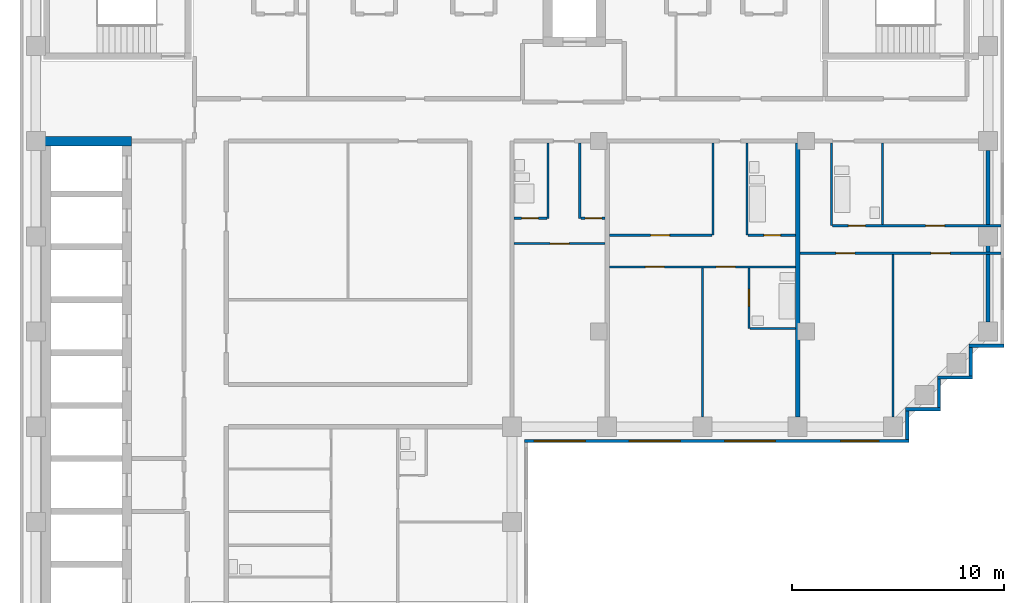
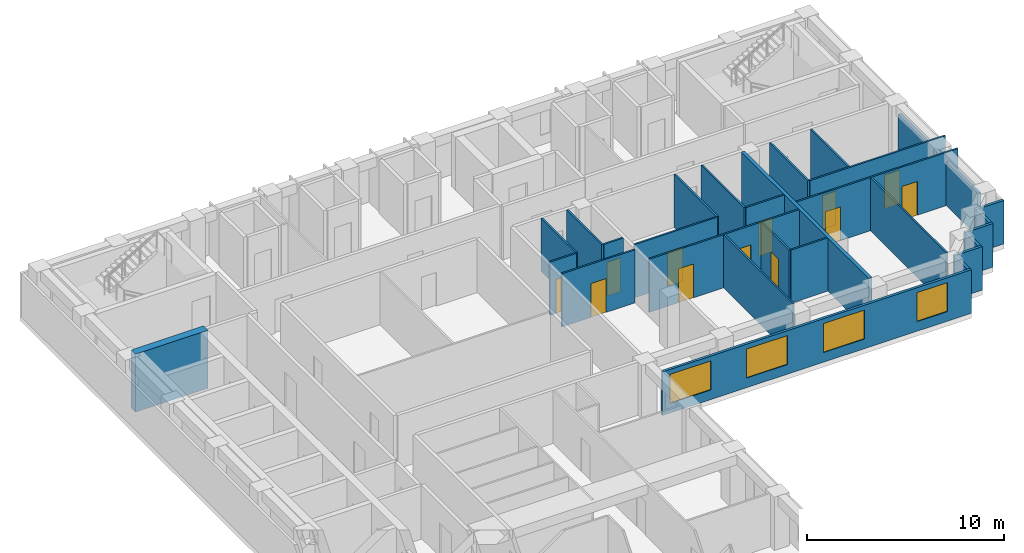
# One storey, part 4 of 8: 28 walls, 12 doors, 4 windows, 16 openings.
"""IFC4 building model written with IfcOpenShell, lengths in metres."""

from ifc_helpers import new_model, si_unit, direction, frame, frame_2d, origin, place, context, subcontext, project, spatial, rectangle, extrude, material, layer, layer_set, type_object, element, fill, save


model = new_model("IFC4")

# Units and contexts
model_context = context("Model", 3, precision=1e-05, world=origin(), true_north=direction((0.0, 1.0)))
body_context = subcontext(model_context, "Body", "Model", "MODEL_VIEW")
ifc_project = project(units=[si_unit("LENGTHUNIT", "METRE"), si_unit("AREAUNIT", "SQUARE_METRE"), si_unit("VOLUMEUNIT", "CUBIC_METRE"), si_unit("PLANEANGLEUNIT", "RADIAN"), si_unit("MASSUNIT", "GRAM", prefix="KILO")], contexts=[model_context])

# Site, building, storey
site_placement = place(None, origin())
site = spatial("IfcSite", under=ifc_project, at=site_placement, CompositionType="ELEMENT")
building_placement = place(site_placement, origin())
building = spatial("IfcBuilding", under=site, at=building_placement, Name="Firuza Court", CompositionType="ELEMENT")
storey_placement = place(building_placement, frame((0.0, 0.0, 251.0)))
storey = spatial("IfcBuildingStorey", under=building, at=storey_placement, Name="L65", CompositionType="ELEMENT", Elevation=251.0)

# Wall, opening, door
ifc_material_1 = material(Name="Moisture-resistant gypsum board partition")
ifc_layer_1 = layer(ifc_material_1, 0.10009765625)
ifc_layer_set_1 = layer_set([ifc_layer_1], Name="Moisture-resistant gypsum board partition")
wall_type_1 = type_object("IfcWallType", Name="Bathroom partition 100", PredefinedType="PLUMBINGWALL", material=ifc_layer_set_1)
wall_1_placement = place(storey_placement, frame((33.699951171875, 40.64990234375, 0.0), z_axis=(0.0, 0.0, 1.0), x_axis=(0.0, 1.0, 0.0)))
wall_1 = element("IfcWall", 1, at=wall_1_placement, inside=storey, type_object=wall_type_1, Name="Bathroom partition 100 L65", PredefinedType="PLUMBINGWALL", context=body_context, shape_type="SweptSolid", body=[
    extrude(rectangle(XDim=2.85009765625, YDim=0.10009765625, at=frame_2d((1.425048828125, 0.0))), origin(), (0.0, 0.0, 1.0), 3.300048828125),
])
opening_1_placement = place(wall_1_placement, frame((1.050048828125, 0.0, 0.0)))
opening_1 = element("IfcOpeningElement", 2, at=opening_1_placement, cuts=wall_1, Name="Opening D65027", PredefinedType="OPENING", context=body_context, shape_type="SweptSolid", body=[
    extrude(rectangle(XDim=0.800048828125, YDim=2.10009765625, at=frame_2d((0.39990234375, 1.050048828125))), frame((0.0, 0.06201171875, 0.0), z_axis=(0.0, -1.0, 0.0), x_axis=(1.0, 0.0, 0.0)), (0.0, 0.0, 1.0), 0.1240234375),
])
ifc_material_2 = material(Name="Timber door leaf in hardwood frame", Category="wood")
door_type_1 = type_object("IfcDoorType", Name="Bathroom door 800", OperationType="SINGLE_SWING_LEFT", PredefinedType="DOOR", material=ifc_material_2)
door_1_placement = place(opening_1_placement, frame((0.800048828125, 0.0, 0.0), z_axis=(0.0, 0.0, 1.0), x_axis=(-1.0, 0.0, 0.0)))
door_1 = element("IfcDoor", 3, at=door_1_placement, inside=storey, type_object=door_type_1, Name="En-suite door", OperationType="SINGLE_SWING_RIGHT", OverallHeight=2.10009765625, OverallWidth=0.800048828125, PredefinedType="DOOR", context=body_context, shape_type="SweptSolid", body=[
    extrude(rectangle(XDim=0.800048828125, YDim=2.10009765625, at=frame_2d((0.39990234375, 1.050048828125))), frame((0.0, 0.02490234375, 0.0), z_axis=(0.0, -1.0, 0.0), x_axis=(1.0, 0.0, 0.0)), (0.0, 0.0, 1.0), 0.050048828125),
])
fill(opening_1, door_1)

# Walls
wall_2_placement = place(storey_placement, frame((33.75, 40.64990234375, 0.0), z_axis=(0.0, 0.0, 1.0), x_axis=(1.0, 0.0, 0.0)))
element("IfcWall", 4, at=wall_2_placement, inside=storey, type_object=wall_type_1, Name="Bathroom partition 100 L65", PredefinedType="PLUMBINGWALL", context=body_context, shape_type="SweptSolid", body=[
    extrude(rectangle(XDim=2.14990234375, YDim=0.10009765625, at=frame_2d((1.074951171875, 0.0))), origin(), (0.0, 0.0, 1.0), 3.300048828125),
])
wall_3_placement = place(storey_placement, frame((33.60009765625, 45.050048828125, 0.0), z_axis=(0.0, 0.0, 1.0), x_axis=(0.0, 1.0, 0.0)))
element("IfcWall", 5, at=wall_3_placement, inside=storey, type_object=wall_type_1, Name="Bathroom partition 100 L65", PredefinedType="PLUMBINGWALL", context=body_context, shape_type="SweptSolid", body=[
    extrude(rectangle(XDim=4.349853515625, YDim=0.10009765625, at=frame_2d((2.1748046875, 0.0))), origin(), (0.0, 0.0, 1.0), 3.300048828125),
])
wall_4_placement = place(storey_placement, frame((37.60009765625, 45.5, 0.0), z_axis=(0.0, 0.0, 1.0), x_axis=(0.0, 1.0, 0.0)))
element("IfcWall", 6, at=wall_4_placement, inside=storey, type_object=wall_type_1, Name="Bathroom partition 100 L65", PredefinedType="PLUMBINGWALL", context=body_context, shape_type="SweptSolid", body=[
    extrude(rectangle(XDim=3.89990234375, YDim=0.10009765625, at=frame_2d((1.949951171875, 0.0))), origin(), (0.0, 0.0, 1.0), 3.300048828125),
])
wall_5_placement = place(storey_placement, frame((40.0, 45.550048828125, 0.0), z_axis=(0.0, 0.0, 1.0), x_axis=(0.0, 1.0, 0.0)))
element("IfcWall", 7, at=wall_5_placement, inside=storey, type_object=wall_type_1, Name="Bathroom partition 100 L65", PredefinedType="PLUMBINGWALL", context=body_context, shape_type="SweptSolid", body=[
    extrude(rectangle(XDim=3.849853515625, YDim=0.10009765625, at=frame_2d((1.9248046875, 0.0))), origin(), (0.0, 0.0, 1.0), 3.300048828125),
])
wall_6_placement = place(storey_placement, frame((24.199951171875, 45.85009765625, 0.0), z_axis=(0.0, 0.0, 1.0), x_axis=(0.0, 1.0, 0.0)))
element("IfcWall", 8, at=wall_6_placement, inside=storey, type_object=wall_type_1, Name="Bathroom partition 100 L65", PredefinedType="PLUMBINGWALL", context=body_context, shape_type="SweptSolid", body=[
    extrude(rectangle(XDim=3.5498046875, YDim=0.10009765625, at=frame_2d((1.77490234375, 0.0))), origin(), (0.0, 0.0, 1.0), 3.300048828125),
])
ifc_material_3 = material(Name="Concrete C50/60", Category="concrete")
ifc_layer_2 = layer(ifc_material_3, 0.449951171875)
ifc_layer_set_2 = layer_set([ifc_layer_2], Name="Concrete C50/60")
wall_type_2 = type_object("IfcWallType", Name="Core wall 450 C50/60", PredefinedType="SHEAR", material=ifc_layer_set_2)
wall_7_placement = place(storey_placement, frame((0.27490234375, 49.5, -0.300048828125), z_axis=(0.0, 0.0, 1.0), x_axis=(1.0, 0.0, 0.0)))
element("IfcWall", 9, at=wall_7_placement, inside=storey, type_object=wall_type_2, Name="Core wall lift shaft L65", PredefinedType="SHEAR", context=body_context, shape_type="SweptSolid", body=[
    extrude(rectangle(XDim=4.25, YDim=0.449951171875, at=frame_2d((2.125, 0.0))), origin(), (0.0, 0.0, 1.0), 3.60009765625),
])
ifc_material_4 = material(Name="Timber stud partition, plasterboard both sides", Category="wood")
ifc_layer_3 = layer(ifc_material_4, 0.10009765625)
ifc_layer_set_3 = layer_set([ifc_layer_3], Name="Timber stud partition, plasterboard both sides")
wall_type_3 = type_object("IfcWallType", Name="Partition wall 100", PredefinedType="PARTITIONING", material=ifc_layer_set_3)
wall_8_placement = place(storey_placement, frame((31.5, 36.449951171875, 0.0), z_axis=(0.0, 0.0, 1.0), x_axis=(0.0, 1.0, 0.0)))
element("IfcWall", 10, at=wall_8_placement, inside=storey, type_object=wall_type_3, Name="Partition wall 100 L65", PredefinedType="PARTITIONING", context=body_context, shape_type="SweptSolid", body=[
    extrude(rectangle(XDim=7.050048828125, YDim=0.10009765625, at=frame_2d((3.52490234375, 0.0))), origin(), (0.0, 0.0, 1.0), 3.300048828125),
])
wall_9_placement = place(storey_placement, frame((40.5, 36.449951171875, 0.0), z_axis=(0.0, 0.0, 1.0), x_axis=(0.0, 1.0, 0.0)))
element("IfcWall", 11, at=wall_9_placement, inside=storey, type_object=wall_type_3, Name="Partition wall 100 L65", PredefinedType="PARTITIONING", context=body_context, shape_type="SweptSolid", body=[
    extrude(rectangle(XDim=7.699951171875, YDim=0.10009765625, at=frame_2d((3.85009765625, 0.0))), origin(), (0.0, 0.0, 1.0), 3.300048828125),
])

# Wall, openings, doors
wall_10_placement = place(storey_placement, frame((27.10009765625, 43.550048828125, 0.0), z_axis=(0.0, 0.0, 1.0), x_axis=(1.0, 0.0, 0.0)))
wall_10 = element("IfcWall", 12, at=wall_10_placement, inside=storey, type_object=wall_type_3, Name="Partition wall 100 L65", PredefinedType="PARTITIONING", context=body_context, shape_type="SweptSolid", body=[
    extrude(rectangle(XDim=8.7998046875, YDim=0.10009765625, at=frame_2d((4.39990234375, 0.0))), origin(), (0.0, 0.0, 1.0), 3.300048828125),
])
opening_2_placement = place(wall_10_placement, frame((1.699951171875, 0.0, 0.0)))
opening_2 = element("IfcOpeningElement", 13, at=opening_2_placement, cuts=wall_10, Name="Opening D65028", PredefinedType="OPENING", context=body_context, shape_type="SweptSolid", body=[
    extrude(rectangle(XDim=0.89990234375, YDim=2.10009765625, at=frame_2d((0.449951171875, 1.050048828125))), frame((0.0, 0.06201171875, 0.0), z_axis=(0.0, -1.0, 0.0), x_axis=(1.0, 0.0, 0.0)), (0.0, 0.0, 1.0), 0.1240234375),
])
opening_3_placement = place(wall_10_placement, frame((5.050048828125, 0.0, 0.0)))
opening_3 = element("IfcOpeningElement", 14, at=opening_3_placement, cuts=wall_10, Name="Opening D65029", PredefinedType="OPENING", context=body_context, shape_type="SweptSolid", body=[
    extrude(rectangle(XDim=0.89990234375, YDim=2.10009765625, at=frame_2d((0.449951171875, 1.050048828125))), frame((0.0, 0.06201171875, 0.0), z_axis=(0.0, -1.0, 0.0), x_axis=(1.0, 0.0, 0.0)), (0.0, 0.0, 1.0), 0.1240234375),
])
ifc_material_5 = material(Name="Timber door leaf in hardwood frame", Category="wood")
door_type_2 = type_object("IfcDoorType", Name="Room door 900", OperationType="SINGLE_SWING_LEFT", PredefinedType="DOOR", material=ifc_material_5)
door_2_placement = place(opening_2_placement, frame((0.89990234375, 0.0, 0.0), z_axis=(0.0, 0.0, 1.0), x_axis=(-1.0, 0.0, 0.0)))
door_2 = element("IfcDoor", 15, at=door_2_placement, inside=storey, type_object=door_type_2, Name="Living room door", OperationType="SINGLE_SWING_RIGHT", OverallHeight=2.10009765625, OverallWidth=0.89990234375, PredefinedType="DOOR", context=body_context, shape_type="SweptSolid", body=[
    extrude(rectangle(XDim=0.89990234375, YDim=2.10009765625, at=frame_2d((0.449951171875, 1.050048828125))), frame((0.0, 0.02490234375, 0.0), z_axis=(0.0, -1.0, 0.0), x_axis=(1.0, 0.0, 0.0)), (0.0, 0.0, 1.0), 0.050048828125),
])
fill(opening_2, door_2)
door_3_placement = place(opening_3_placement, frame((0.89990234375, 0.0, 0.0), z_axis=(0.0, 0.0, 1.0), x_axis=(-1.0, 0.0, 0.0)))
door_3 = element("IfcDoor", 16, at=door_3_placement, inside=storey, type_object=door_type_2, Name="Bedroom door", OperationType="SINGLE_SWING_RIGHT", OverallHeight=2.10009765625, OverallWidth=0.89990234375, PredefinedType="DOOR", context=body_context, shape_type="SweptSolid", body=[
    extrude(rectangle(XDim=0.89990234375, YDim=2.10009765625, at=frame_2d((0.449951171875, 1.050048828125))), frame((0.0, 0.02490234375, 0.0), z_axis=(0.0, -1.0, 0.0), x_axis=(1.0, 0.0, 0.0)), (0.0, 0.0, 1.0), 0.050048828125),
])
fill(opening_3, door_3)

wall_11_placement = place(storey_placement, frame((36.10009765625, 44.199951171875, 0.0), z_axis=(0.0, 0.0, 1.0), x_axis=(1.0, 0.0, 0.0)))
wall_11 = element("IfcWall", 17, at=wall_11_placement, inside=storey, type_object=wall_type_3, Name="Partition wall 100 L65", PredefinedType="PARTITIONING", context=body_context, shape_type="SweptSolid", body=[
    extrude(rectangle(XDim=9.5, YDim=0.10009765625, at=frame_2d((4.75, 0.0))), origin(), (0.0, 0.0, 1.0), 3.300048828125),
])
opening_4_placement = place(wall_11_placement, frame((1.699951171875, 0.0, 0.0)))
opening_4 = element("IfcOpeningElement", 18, at=opening_4_placement, cuts=wall_11, Name="Opening D65030", PredefinedType="OPENING", context=body_context, shape_type="SweptSolid", body=[
    extrude(rectangle(XDim=0.89990234375, YDim=2.10009765625, at=frame_2d((0.449951171875, 1.050048828125))), frame((0.0, 0.06201171875, 0.0), z_axis=(0.0, -1.0, 0.0), x_axis=(1.0, 0.0, 0.0)), (0.0, 0.0, 1.0), 0.1240234375),
])
opening_5_placement = place(wall_11_placement, frame((6.199951171875, 0.0, 0.0)))
opening_5 = element("IfcOpeningElement", 19, at=opening_5_placement, cuts=wall_11, Name="Opening D65031", PredefinedType="OPENING", context=body_context, shape_type="SweptSolid", body=[
    extrude(rectangle(XDim=0.89990234375, YDim=2.10009765625, at=frame_2d((0.449951171875, 1.050048828125))), frame((0.0, 0.06201171875, 0.0), z_axis=(0.0, -1.0, 0.0), x_axis=(1.0, 0.0, 0.0)), (0.0, 0.0, 1.0), 0.1240234375),
])
door_4_placement = place(opening_4_placement, frame((0.89990234375, 0.0, 0.0), z_axis=(0.0, 0.0, 1.0), x_axis=(-1.0, 0.0, 0.0)))
door_4 = element("IfcDoor", 20, at=door_4_placement, inside=storey, type_object=door_type_2, Name="Bedroom door", OperationType="SINGLE_SWING_RIGHT", OverallHeight=2.10009765625, OverallWidth=0.89990234375, PredefinedType="DOOR", context=body_context, shape_type="SweptSolid", body=[
    extrude(rectangle(XDim=0.89990234375, YDim=2.10009765625, at=frame_2d((0.449951171875, 1.050048828125))), frame((0.0, 0.02490234375, 0.0), z_axis=(0.0, -1.0, 0.0), x_axis=(1.0, 0.0, 0.0)), (0.0, 0.0, 1.0), 0.050048828125),
])
fill(opening_4, door_4)
door_5_placement = place(opening_5_placement, frame((0.89990234375, 0.0, 0.0), z_axis=(0.0, 0.0, 1.0), x_axis=(-1.0, 0.0, 0.0)))
door_5 = element("IfcDoor", 21, at=door_5_placement, inside=storey, type_object=door_type_2, Name="Living room door", OperationType="SINGLE_SWING_RIGHT", OverallHeight=2.10009765625, OverallWidth=0.89990234375, PredefinedType="DOOR", context=body_context, shape_type="SweptSolid", body=[
    extrude(rectangle(XDim=0.89990234375, YDim=2.10009765625, at=frame_2d((0.449951171875, 1.050048828125))), frame((0.0, 0.02490234375, 0.0), z_axis=(0.0, -1.0, 0.0), x_axis=(1.0, 0.0, 0.0)), (0.0, 0.0, 1.0), 0.050048828125),
])
fill(opening_5, door_5)

# Wall, opening, door
wall_12_placement = place(storey_placement, frame((22.60009765625, 44.64990234375, 0.0), z_axis=(0.0, 0.0, 1.0), x_axis=(1.0, 0.0, 0.0)))
wall_12 = element("IfcWall", 22, at=wall_12_placement, inside=storey, type_object=wall_type_3, Name="Partition wall 100 L65", PredefinedType="PARTITIONING", context=body_context, shape_type="SweptSolid", body=[
    extrude(rectangle(XDim=4.2998046875, YDim=0.10009765625, at=frame_2d((2.14990234375, 0.0))), origin(), (0.0, 0.0, 1.0), 3.300048828125),
])
opening_6_placement = place(wall_12_placement, frame((1.699951171875, 0.0, 0.0)))
opening_6 = element("IfcOpeningElement", 23, at=opening_6_placement, cuts=wall_12, Name="Opening D65032", PredefinedType="OPENING", context=body_context, shape_type="SweptSolid", body=[
    extrude(rectangle(XDim=0.89990234375, YDim=2.10009765625, at=frame_2d((0.449951171875, 1.050048828125))), frame((0.0, 0.06201171875, 0.0), z_axis=(0.0, -1.0, 0.0), x_axis=(1.0, 0.0, 0.0)), (0.0, 0.0, 1.0), 0.1240234375),
])
door_6_placement = place(opening_6_placement, frame((0.89990234375, 0.0, 0.0), z_axis=(0.0, 0.0, 1.0), x_axis=(-1.0, 0.0, 0.0)))
door_6 = element("IfcDoor", 24, at=door_6_placement, inside=storey, type_object=door_type_2, Name="Studio room door", OperationType="SINGLE_SWING_RIGHT", OverallHeight=2.10009765625, OverallWidth=0.89990234375, PredefinedType="DOOR", context=body_context, shape_type="SweptSolid", body=[
    extrude(rectangle(XDim=0.89990234375, YDim=2.10009765625, at=frame_2d((0.449951171875, 1.050048828125))), frame((0.0, 0.02490234375, 0.0), z_axis=(0.0, -1.0, 0.0), x_axis=(1.0, 0.0, 0.0)), (0.0, 0.0, 1.0), 0.050048828125),
])
fill(opening_6, door_6)

wall_13_placement = place(storey_placement, frame((27.10009765625, 45.050048828125, 0.0), z_axis=(0.0, 0.0, 1.0), x_axis=(1.0, 0.0, 0.0)))
wall_13 = element("IfcWall", 25, at=wall_13_placement, inside=storey, type_object=wall_type_3, Name="Partition wall 100 L65", PredefinedType="PARTITIONING", context=body_context, shape_type="SweptSolid", body=[
    extrude(rectangle(XDim=4.849853515625, YDim=0.10009765625, at=frame_2d((2.4248046875, 0.0))), origin(), (0.0, 0.0, 1.0), 3.300048828125),
])
opening_7_placement = place(wall_13_placement, frame((1.949951171875, 0.0, 0.0)))
opening_7 = element("IfcOpeningElement", 26, at=opening_7_placement, cuts=wall_13, Name="Opening D65033", PredefinedType="OPENING", context=body_context, shape_type="SweptSolid", body=[
    extrude(rectangle(XDim=0.89990234375, YDim=2.10009765625, at=frame_2d((0.449951171875, 1.050048828125))), frame((0.0, 0.06201171875, 0.0), z_axis=(0.0, -1.0, 0.0), x_axis=(1.0, 0.0, 0.0)), (0.0, 0.0, 1.0), 0.1240234375),
])
door_7_placement = place(opening_7_placement, origin())
door_7 = element("IfcDoor", 27, at=door_7_placement, inside=storey, type_object=door_type_2, Name="Kitchen door", OperationType="SINGLE_SWING_LEFT", OverallHeight=2.10009765625, OverallWidth=0.89990234375, PredefinedType="DOOR", context=body_context, shape_type="SweptSolid", body=[
    extrude(rectangle(XDim=0.89990234375, YDim=2.10009765625, at=frame_2d((0.449951171875, 1.050048828125))), frame((0.0, 0.02490234375, 0.0), z_axis=(0.0, -1.0, 0.0), x_axis=(1.0, 0.0, 0.0)), (0.0, 0.0, 1.0), 0.050048828125),
])
fill(opening_7, door_7)

# Wall
wall_14_placement = place(storey_placement, frame((32.0, 45.050048828125, 0.0), z_axis=(0.0, 0.0, 1.0), x_axis=(0.0, 1.0, 0.0)))
element("IfcWall", 28, at=wall_14_placement, inside=storey, type_object=wall_type_3, Name="Partition wall 100 L65", PredefinedType="PARTITIONING", context=body_context, shape_type="SweptSolid", body=[
    extrude(rectangle(XDim=4.349853515625, YDim=0.10009765625, at=frame_2d((2.1748046875, 0.0))), origin(), (0.0, 0.0, 1.0), 3.300048828125),
])

# Wall, opening, door
wall_15_placement = place(storey_placement, frame((33.64990234375, 45.050048828125, 0.0), z_axis=(0.0, 0.0, 1.0), x_axis=(1.0, 0.0, 0.0)))
wall_15 = element("IfcWall", 29, at=wall_15_placement, inside=storey, type_object=wall_type_3, Name="Partition wall 100 L65", PredefinedType="PARTITIONING", context=body_context, shape_type="SweptSolid", body=[
    extrude(rectangle(XDim=2.25, YDim=0.10009765625, at=frame_2d((1.125, 0.0))), origin(), (0.0, 0.0, 1.0), 3.300048828125),
])
opening_8_placement = place(wall_15_placement, frame((0.75, 0.0, 0.0)))
opening_8 = element("IfcOpeningElement", 30, at=opening_8_placement, cuts=wall_15, Name="Opening D65034", PredefinedType="OPENING", context=body_context, shape_type="SweptSolid", body=[
    extrude(rectangle(XDim=0.800048828125, YDim=2.10009765625, at=frame_2d((0.39990234375, 1.050048828125))), frame((0.0, 0.06201171875, 0.0), z_axis=(0.0, -1.0, 0.0), x_axis=(1.0, 0.0, 0.0)), (0.0, 0.0, 1.0), 0.1240234375),
])
door_8_placement = place(opening_8_placement, origin())
door_8 = element("IfcDoor", 31, at=door_8_placement, inside=storey, type_object=door_type_1, Name="Bathroom door", OperationType="SINGLE_SWING_LEFT", OverallHeight=2.10009765625, OverallWidth=0.800048828125, PredefinedType="DOOR", context=body_context, shape_type="SweptSolid", body=[
    extrude(rectangle(XDim=0.800048828125, YDim=2.10009765625, at=frame_2d((0.39990234375, 1.050048828125))), frame((0.0, 0.02490234375, 0.0), z_axis=(0.0, -1.0, 0.0), x_axis=(1.0, 0.0, 0.0)), (0.0, 0.0, 1.0), 0.050048828125),
])
fill(opening_8, door_8)

# Wall, openings, doors
wall_16_placement = place(storey_placement, frame((37.64990234375, 45.5, 0.0), z_axis=(0.0, 0.0, 1.0), x_axis=(1.0, 0.0, 0.0)))
wall_16 = element("IfcWall", 32, at=wall_16_placement, inside=storey, type_object=wall_type_3, Name="Partition wall 100 L65", PredefinedType="PARTITIONING", context=body_context, shape_type="SweptSolid", body=[
    extrude(rectangle(XDim=7.9501953125, YDim=0.10009765625, at=frame_2d((3.97509765625, 0.0))), origin(), (0.0, 0.0, 1.0), 3.300048828125),
])
opening_9_placement = place(wall_16_placement, frame((0.75, 0.0, 0.0)))
opening_9 = element("IfcOpeningElement", 33, at=opening_9_placement, cuts=wall_16, Name="Opening D65035", PredefinedType="OPENING", context=body_context, shape_type="SweptSolid", body=[
    extrude(rectangle(XDim=0.800048828125, YDim=2.10009765625, at=frame_2d((0.39990234375, 1.050048828125))), frame((0.0, 0.06201171875, 0.0), z_axis=(0.0, -1.0, 0.0), x_axis=(1.0, 0.0, 0.0)), (0.0, 0.0, 1.0), 0.1240234375),
])
opening_10_placement = place(wall_16_placement, frame((4.39990234375, 0.0, 0.0)))
opening_10 = element("IfcOpeningElement", 34, at=opening_10_placement, cuts=wall_16, Name="Opening D65036", PredefinedType="OPENING", context=body_context, shape_type="SweptSolid", body=[
    extrude(rectangle(XDim=0.89990234375, YDim=2.10009765625, at=frame_2d((0.449951171875, 1.050048828125))), frame((0.0, 0.06201171875, 0.0), z_axis=(0.0, -1.0, 0.0), x_axis=(1.0, 0.0, 0.0)), (0.0, 0.0, 1.0), 0.1240234375),
])
door_9_placement = place(opening_9_placement, origin())
door_9 = element("IfcDoor", 35, at=door_9_placement, inside=storey, type_object=door_type_1, Name="Bathroom door", OperationType="SINGLE_SWING_LEFT", OverallHeight=2.10009765625, OverallWidth=0.800048828125, PredefinedType="DOOR", context=body_context, shape_type="SweptSolid", body=[
    extrude(rectangle(XDim=0.800048828125, YDim=2.10009765625, at=frame_2d((0.39990234375, 1.050048828125))), frame((0.0, 0.02490234375, 0.0), z_axis=(0.0, -1.0, 0.0), x_axis=(1.0, 0.0, 0.0)), (0.0, 0.0, 1.0), 0.050048828125),
])
fill(opening_9, door_9)
door_10_placement = place(opening_10_placement, origin())
door_10 = element("IfcDoor", 36, at=door_10_placement, inside=storey, type_object=door_type_2, Name="Kitchen door", OperationType="SINGLE_SWING_LEFT", OverallHeight=2.10009765625, OverallWidth=0.89990234375, PredefinedType="DOOR", context=body_context, shape_type="SweptSolid", body=[
    extrude(rectangle(XDim=0.89990234375, YDim=2.10009765625, at=frame_2d((0.449951171875, 1.050048828125))), frame((0.0, 0.02490234375, 0.0), z_axis=(0.0, -1.0, 0.0), x_axis=(1.0, 0.0, 0.0)), (0.0, 0.0, 1.0), 0.050048828125),
])
fill(opening_10, door_10)

# Wall, opening, door
wall_17_placement = place(storey_placement, frame((22.60009765625, 45.85009765625, 0.0), z_axis=(0.0, 0.0, 1.0), x_axis=(1.0, 0.0, 0.0)))
wall_17 = element("IfcWall", 37, at=wall_17_placement, inside=storey, type_object=wall_type_3, Name="Partition wall 100 L65", PredefinedType="PARTITIONING", context=body_context, shape_type="SweptSolid", body=[
    extrude(rectangle(XDim=1.5498046875, YDim=0.10009765625, at=frame_2d((0.77490234375, 0.0))), origin(), (0.0, 0.0, 1.0), 3.300048828125),
])
opening_11_placement = place(wall_17_placement, frame((0.35009765625, 0.0, 0.0)))
opening_11 = element("IfcOpeningElement", 38, at=opening_11_placement, cuts=wall_17, Name="Opening D65037", PredefinedType="OPENING", context=body_context, shape_type="SweptSolid", body=[
    extrude(rectangle(XDim=0.800048828125, YDim=2.10009765625, at=frame_2d((0.39990234375, 1.050048828125))), frame((0.0, 0.06201171875, 0.0), z_axis=(0.0, -1.0, 0.0), x_axis=(1.0, 0.0, 0.0)), (0.0, 0.0, 1.0), 0.1240234375),
])
door_11_placement = place(opening_11_placement, origin())
door_11 = element("IfcDoor", 39, at=door_11_placement, inside=storey, type_object=door_type_1, Name="Bathroom door", OperationType="SINGLE_SWING_LEFT", OverallHeight=2.10009765625, OverallWidth=0.800048828125, PredefinedType="DOOR", context=body_context, shape_type="SweptSolid", body=[
    extrude(rectangle(XDim=0.800048828125, YDim=2.10009765625, at=frame_2d((0.39990234375, 1.050048828125))), frame((0.0, 0.02490234375, 0.0), z_axis=(0.0, -1.0, 0.0), x_axis=(1.0, 0.0, 0.0)), (0.0, 0.0, 1.0), 0.050048828125),
])
fill(opening_11, door_11)

# Wall
wall_18_placement = place(storey_placement, frame((25.699951171875, 45.85009765625, 0.0), z_axis=(0.0, 0.0, 1.0), x_axis=(0.0, 1.0, 0.0)))
element("IfcWall", 40, at=wall_18_placement, inside=storey, type_object=wall_type_3, Name="Partition wall 100 L65", PredefinedType="PARTITIONING", context=body_context, shape_type="SweptSolid", body=[
    extrude(rectangle(XDim=3.5498046875, YDim=0.10009765625, at=frame_2d((1.77490234375, 0.0))), origin(), (0.0, 0.0, 1.0), 3.300048828125),
])

# Wall, opening, door
wall_19_placement = place(storey_placement, frame((25.75, 45.85009765625, 0.0), z_axis=(0.0, 0.0, 1.0), x_axis=(1.0, 0.0, 0.0)))
wall_19 = element("IfcWall", 41, at=wall_19_placement, inside=storey, type_object=wall_type_3, Name="Partition wall 100 L65", PredefinedType="PARTITIONING", context=body_context, shape_type="SweptSolid", body=[
    extrude(rectangle(XDim=1.14990234375, YDim=0.10009765625, at=frame_2d((0.574951171875, 0.0))), origin(), (0.0, 0.0, 1.0), 3.300048828125),
])
opening_12_placement = place(wall_19_placement, frame((0.199951171875, 0.0, 0.0)))
opening_12 = element("IfcOpeningElement", 42, at=opening_12_placement, cuts=wall_19, Name="Opening D65038", PredefinedType="OPENING", context=body_context, shape_type="SweptSolid", body=[
    extrude(rectangle(XDim=0.800048828125, YDim=2.10009765625, at=frame_2d((0.39990234375, 1.050048828125))), frame((0.0, 0.06201171875, 0.0), z_axis=(0.0, -1.0, 0.0), x_axis=(1.0, 0.0, 0.0)), (0.0, 0.0, 1.0), 0.1240234375),
])
ifc_material_6 = material(Name="Timber door leaf in hardwood frame", Category="wood")
door_type_3 = type_object("IfcDoorType", Name="Room door 800", OperationType="SINGLE_SWING_LEFT", PredefinedType="DOOR", material=ifc_material_6)
door_12_placement = place(opening_12_placement, origin())
door_12 = element("IfcDoor", 43, at=door_12_placement, inside=storey, type_object=door_type_3, Name="Kitchen door", OperationType="SINGLE_SWING_LEFT", OverallHeight=2.10009765625, OverallWidth=0.800048828125, PredefinedType="DOOR", context=body_context, shape_type="SweptSolid", body=[
    extrude(rectangle(XDim=0.800048828125, YDim=2.10009765625, at=frame_2d((0.39990234375, 1.050048828125))), frame((0.0, 0.02490234375, 0.0), z_axis=(0.0, -1.0, 0.0), x_axis=(1.0, 0.0, 0.0)), (0.0, 0.0, 1.0), 0.050048828125),
])
fill(opening_12, door_12)

# Walls
ifc_material_7 = material(Name="Blockwork, plastered both sides", Category="masonry")
ifc_layer_4 = layer(ifc_material_7, 0.199951171875)
ifc_layer_set_4 = layer_set([ifc_layer_4], Name="Blockwork, plastered both sides")
wall_type_4 = type_object("IfcWallType", Name="Party wall 200", PredefinedType="PARTITIONING", material=ifc_layer_set_4)
wall_20_placement = place(storey_placement, frame((36.0, 36.449951171875, 0.0), z_axis=(0.0, 0.0, 1.0), x_axis=(0.0, 1.0, 0.0)))
element("IfcWall", 44, at=wall_20_placement, inside=storey, type_object=wall_type_4, Name="Party wall 200 L65", PredefinedType="PARTITIONING", context=body_context, shape_type="SweptSolid", body=[
    extrude(rectangle(XDim=12.949951171875, YDim=0.199951171875, at=frame_2d((6.47509765625, 0.0))), origin(), (0.0, 0.0, 1.0), 3.300048828125),
])
wall_21_placement = place(storey_placement, frame((45.0, 40.949951171875, 0.0), z_axis=(0.0, 0.0, 1.0), x_axis=(0.0, 1.0, 0.0)))
element("IfcWall", 45, at=wall_21_placement, inside=storey, type_object=wall_type_4, Name="Party wall 200 L65", PredefinedType="PARTITIONING", context=body_context, shape_type="SweptSolid", body=[
    extrude(rectangle(XDim=8.10009765625, YDim=0.199951171875, at=frame_2d((4.050048828125, 0.0))), origin(), (0.0, 0.0, 1.0), 2.699951171875),
])

# Wall, openings, windows
ifc_material_8 = material(Name="Ceramic tile", Category="ceramic")
ifc_layer_5 = layer(ifc_material_8, 0.02001953125)
ifc_material_9 = material(Name="Mineral wool insulation", Category="insulation")
ifc_layer_6 = layer(ifc_material_9, 0.050048828125)
ifc_material_10 = material(Name="Concrete C40/50 precast", Category="concrete")
ifc_layer_7 = layer(ifc_material_10, 0.080078125)
ifc_layer_set_5 = layer_set([ifc_layer_5, ifc_layer_6, ifc_layer_7], Name="Concrete C40/50 precast")
wall_type_5 = type_object("IfcWallType", Name="Precast cladding wall with turquoise TILE PANEL face 150", PredefinedType="STANDARD", material=ifc_layer_set_5)
wall_22_placement = place(storey_placement, frame((23.10009765625, 35.324951171875, 0.0), z_axis=(0.0, 0.0, 1.0), x_axis=(1.0, 0.0, 0.0)))
wall_22 = element("IfcWall", 46, at=wall_22_placement, inside=storey, type_object=wall_type_5, Name="Facade wall L65 S", PredefinedType="STANDARD", context=body_context, shape_type="SweptSolid", body=[
    extrude(rectangle(XDim=18.14990234375, YDim=0.14990234375, at=frame_2d((9.074951171875, 0.0))), origin(), (0.0, 0.0, 1.0), 2.699951171875),
])
opening_13_placement = place(wall_22_placement, frame((0.449951171875, 0.0, 0.60009765625)))
opening_13 = element("IfcOpeningElement", 47, at=opening_13_placement, cuts=wall_22, Name="Opening W1", PredefinedType="OPENING", context=body_context, shape_type="SweptSolid", body=[
    extrude(rectangle(XDim=2.39990234375, YDim=1.800048828125, at=frame_2d((1.199951171875, 0.89990234375))), frame((0.0, 0.0869140625, 0.0), z_axis=(0.0, -1.0, 0.0), x_axis=(1.0, 0.0, 0.0)), (0.0, 0.0, 1.0), 0.173828125),
])
opening_14_placement = place(wall_22_placement, frame((4.949951171875, 0.0, 0.60009765625)))
opening_14 = element("IfcOpeningElement", 48, at=opening_14_placement, cuts=wall_22, Name="Opening W1", PredefinedType="OPENING", context=body_context, shape_type="SweptSolid", body=[
    extrude(rectangle(XDim=2.39990234375, YDim=1.800048828125, at=frame_2d((1.199951171875, 0.89990234375))), frame((0.0, 0.0869140625, 0.0), z_axis=(0.0, -1.0, 0.0), x_axis=(1.0, 0.0, 0.0)), (0.0, 0.0, 1.0), 0.173828125),
])
opening_15_placement = place(wall_22_placement, frame((9.449951171875, 0.0, 0.60009765625)))
opening_15 = element("IfcOpeningElement", 49, at=opening_15_placement, cuts=wall_22, Name="Opening W1", PredefinedType="OPENING", context=body_context, shape_type="SweptSolid", body=[
    extrude(rectangle(XDim=2.39990234375, YDim=1.800048828125, at=frame_2d((1.199951171875, 0.89990234375))), frame((0.0, 0.0869140625, 0.0), z_axis=(0.0, -1.0, 0.0), x_axis=(1.0, 0.0, 0.0)), (0.0, 0.0, 1.0), 0.173828125),
])
opening_16_placement = place(wall_22_placement, frame((14.930908203125, 0.0, 0.60009765625)))
opening_16 = element("IfcOpeningElement", 50, at=opening_16_placement, cuts=wall_22, Name="Opening W7", PredefinedType="OPENING", context=body_context, shape_type="SweptSolid", body=[
    extrude(rectangle(XDim=1.800048828125, YDim=1.800048828125, at=frame_2d((0.89990234375, 0.89990234375))), frame((0.0, 0.0869140625, 0.0), z_axis=(0.0, -1.0, 0.0), x_axis=(1.0, 0.0, 0.0)), (0.0, 0.0, 1.0), 0.173828125),
])
ifc_material_11 = material(Name="Aluminium frame, triple clear glazing", Category="aluminium")
window_type_1 = type_object("IfcWindowType", Name="Window W1 2400 x 1800", PartitioningType="SINGLE_PANEL", PredefinedType="WINDOW", material=ifc_material_11)
window_1_placement = place(opening_13_placement, origin())
window_1 = element("IfcWindow", 51, at=window_1_placement, inside=storey, type_object=window_type_1, Name="Window L65", OverallHeight=1.800048828125, OverallWidth=2.39990234375, PartitioningType="SINGLE_PANEL", PredefinedType="WINDOW", context=body_context, shape_type="SweptSolid", body=[
    extrude(rectangle(XDim=2.39990234375, YDim=1.800048828125, at=frame_2d((1.199951171875, 0.89990234375))), frame((0.0, 0.030029296875, 0.0), z_axis=(0.0, -1.0, 0.0), x_axis=(1.0, 0.0, 0.0)), (0.0, 0.0, 1.0), 0.06005859375),
])
fill(opening_13, window_1)
window_2_placement = place(opening_14_placement, origin())
window_2 = element("IfcWindow", 52, at=window_2_placement, inside=storey, type_object=window_type_1, Name="Window L65", OverallHeight=1.800048828125, OverallWidth=2.39990234375, PartitioningType="SINGLE_PANEL", PredefinedType="WINDOW", context=body_context, shape_type="SweptSolid", body=[
    extrude(rectangle(XDim=2.39990234375, YDim=1.800048828125, at=frame_2d((1.199951171875, 0.89990234375))), frame((0.0, 0.030029296875, 0.0), z_axis=(0.0, -1.0, 0.0), x_axis=(1.0, 0.0, 0.0)), (0.0, 0.0, 1.0), 0.06005859375),
])
fill(opening_14, window_2)
window_3_placement = place(opening_15_placement, origin())
window_3 = element("IfcWindow", 53, at=window_3_placement, inside=storey, type_object=window_type_1, Name="Window L65", OverallHeight=1.800048828125, OverallWidth=2.39990234375, PartitioningType="SINGLE_PANEL", PredefinedType="WINDOW", context=body_context, shape_type="SweptSolid", body=[
    extrude(rectangle(XDim=2.39990234375, YDim=1.800048828125, at=frame_2d((1.199951171875, 0.89990234375))), frame((0.0, 0.030029296875, 0.0), z_axis=(0.0, -1.0, 0.0), x_axis=(1.0, 0.0, 0.0)), (0.0, 0.0, 1.0), 0.06005859375),
])
fill(opening_15, window_3)
ifc_material_12 = material(Name="Aluminium frame, triple clear glazing", Category="aluminium")
window_type_2 = type_object("IfcWindowType", Name="Window W7 1800 x 1800", PartitioningType="SINGLE_PANEL", PredefinedType="WINDOW", material=ifc_material_12)
window_4_placement = place(opening_16_placement, origin())
window_4 = element("IfcWindow", 54, at=window_4_placement, inside=storey, type_object=window_type_2, Name="Window L65", OverallHeight=1.800048828125, OverallWidth=1.800048828125, PartitioningType="SINGLE_PANEL", PredefinedType="WINDOW", context=body_context, shape_type="SweptSolid", body=[
    extrude(rectangle(XDim=1.800048828125, YDim=1.800048828125, at=frame_2d((0.89990234375, 0.89990234375))), frame((0.0, 0.030029296875, 0.0), z_axis=(0.0, -1.0, 0.0), x_axis=(1.0, 0.0, 0.0)), (0.0, 0.0, 1.0), 0.06005859375),
])
fill(opening_16, window_4)

# Walls
wall_23_placement = place(storey_placement, frame((41.175048828125, 35.39990234375, 0.0), z_axis=(0.0, 0.0, 1.0), x_axis=(0.0, 1.0, 0.0)))
element("IfcWall", 55, at=wall_23_placement, inside=storey, type_object=wall_type_5, Name="Facade wall L65 E", PredefinedType="STANDARD", context=body_context, shape_type="SweptSolid", body=[
    extrude(rectangle(XDim=1.35009765625, YDim=0.14990234375, at=frame_2d((0.675048828125, 0.0))), origin(), (0.0, 0.0, 1.0), 2.699951171875),
])
wall_24_placement = place(storey_placement, frame((41.10009765625, 36.824951171875, 0.0), z_axis=(0.0, 0.0, 1.0), x_axis=(1.0, 0.0, 0.0)))
element("IfcWall", 56, at=wall_24_placement, inside=storey, type_object=wall_type_5, Name="Facade wall L65 S", PredefinedType="STANDARD", context=body_context, shape_type="SweptSolid", body=[
    extrude(rectangle(XDim=1.64990234375, YDim=0.14990234375, at=frame_2d((0.824951171875, 0.0))), origin(), (0.0, 0.0, 1.0), 2.699951171875),
])
wall_25_placement = place(storey_placement, frame((42.675048828125, 36.89990234375, 0.0), z_axis=(0.0, 0.0, 1.0), x_axis=(0.0, 1.0, 0.0)))
element("IfcWall", 57, at=wall_25_placement, inside=storey, type_object=wall_type_5, Name="Facade wall L65 E", PredefinedType="STANDARD", context=body_context, shape_type="SweptSolid", body=[
    extrude(rectangle(XDim=1.35009765625, YDim=0.14990234375, at=frame_2d((0.675048828125, 0.0))), origin(), (0.0, 0.0, 1.0), 2.699951171875),
])
wall_26_placement = place(storey_placement, frame((42.60009765625, 38.324951171875, 0.0), z_axis=(0.0, 0.0, 1.0), x_axis=(1.0, 0.0, 0.0)))
element("IfcWall", 58, at=wall_26_placement, inside=storey, type_object=wall_type_5, Name="Facade wall L65 S", PredefinedType="STANDARD", context=body_context, shape_type="SweptSolid", body=[
    extrude(rectangle(XDim=1.64990234375, YDim=0.14990234375, at=frame_2d((0.824951171875, 0.0))), origin(), (0.0, 0.0, 1.0), 2.699951171875),
])
wall_27_placement = place(storey_placement, frame((44.175048828125, 38.39990234375, 0.0), z_axis=(0.0, 0.0, 1.0), x_axis=(0.0, 1.0, 0.0)))
element("IfcWall", 59, at=wall_27_placement, inside=storey, type_object=wall_type_5, Name="Facade wall L65 E", PredefinedType="STANDARD", context=body_context, shape_type="SweptSolid", body=[
    extrude(rectangle(XDim=1.35009765625, YDim=0.14990234375, at=frame_2d((0.675048828125, 0.0))), origin(), (0.0, 0.0, 1.0), 2.699951171875),
])
wall_28_placement = place(storey_placement, frame((44.10009765625, 39.824951171875, 0.0), z_axis=(0.0, 0.0, 1.0), x_axis=(1.0, 0.0, 0.0)))
element("IfcWall", 60, at=wall_28_placement, inside=storey, type_object=wall_type_5, Name="Facade wall L65 S", PredefinedType="STANDARD", context=body_context, shape_type="SweptSolid", body=[
    extrude(rectangle(XDim=1.64990234375, YDim=0.14990234375, at=frame_2d((0.824951171875, 0.0))), origin(), (0.0, 0.0, 1.0), 2.699951171875),
])

save(model, "model.ifc")
